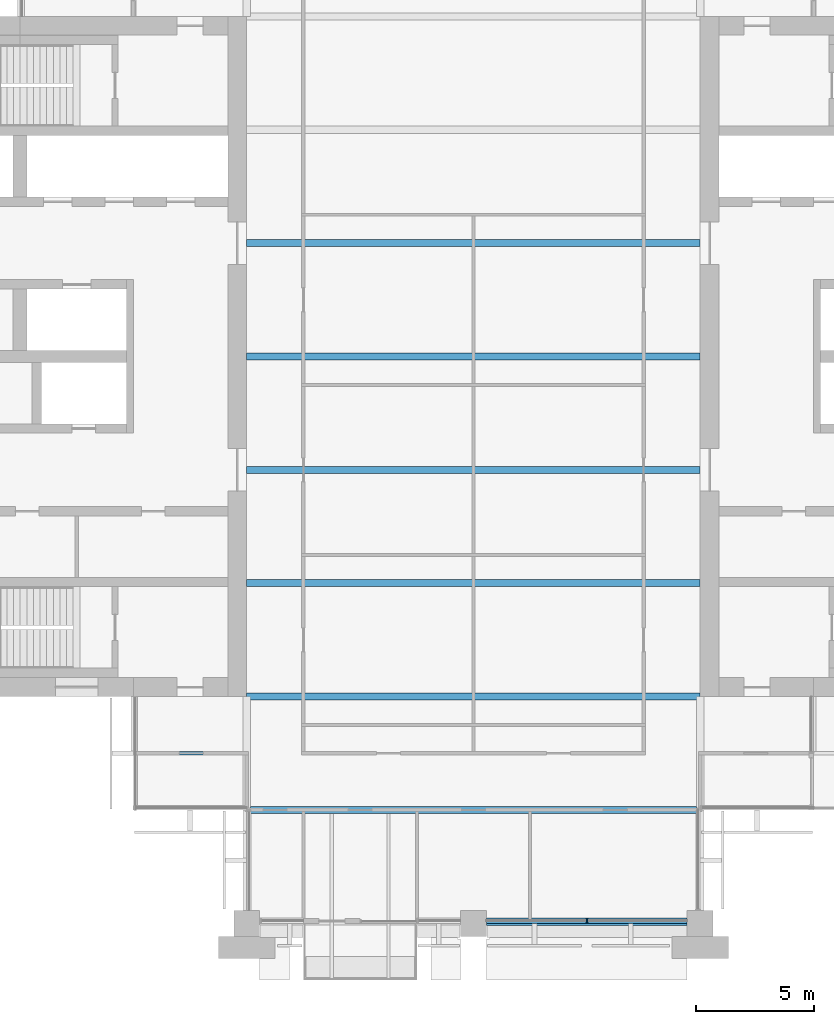
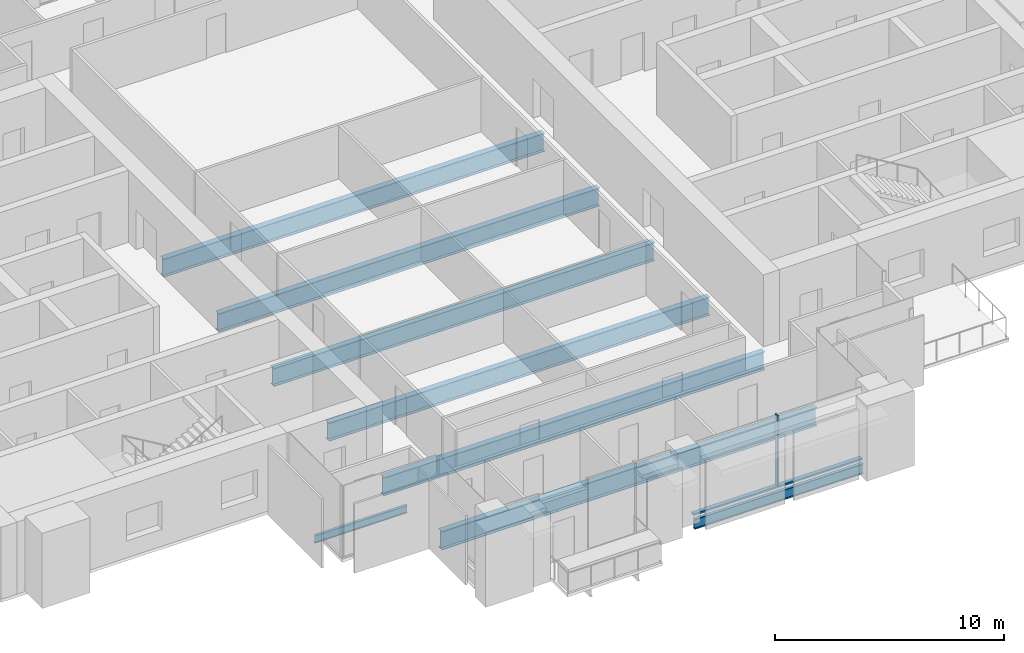
# One storey, part 3 of 14: 8 beams, 2 members, 1 element without a shape of its own.
"""IFC4 building model written with IfcOpenShell, lengths in metres."""

from ifc_helpers import new_model, si_unit, direction, frame, origin, origin_2d, place, context, subcontext, project, spatial, rectangle, i_section, extrude, material, material_profile, profile_set, type_object, element, aggregate, save


model = new_model("IFC4")

# Units and contexts
model_context = context("Model", 3, precision=1e-05, world=origin(), true_north=direction((0.0, 1.0)))
body_context = subcontext(model_context, "Body", "Model", "MODEL_VIEW")
ifc_project = project(units=[si_unit("LENGTHUNIT", "METRE"), si_unit("AREAUNIT", "SQUARE_METRE"), si_unit("VOLUMEUNIT", "CUBIC_METRE"), si_unit("PLANEANGLEUNIT", "RADIAN"), si_unit("MASSUNIT", "GRAM", prefix="KILO")], contexts=[model_context])

# Site, building, storey
site_placement = place(None, origin())
site = spatial("IfcSite", under=ifc_project, at=site_placement, CompositionType="ELEMENT")
building_placement = place(site_placement, origin())
building = spatial("IfcBuilding", under=site, at=building_placement, Name="Baori Bourse Tower", CompositionType="ELEMENT")
storey_placement = place(building_placement, frame((0.0, 0.0, 233.199951171875)))
storey = spatial("IfcBuildingStorey", under=building, at=storey_placement, Name="L51", CompositionType="ELEMENT", Elevation=233.199951171875)

# Curtain wall, members
ifc_material_1 = material(Name="Pale anodised aluminium", Category="aluminium")
curtain_wall_type = type_object("IfcCurtainWallType", Name="CW5 Curtain wall", PredefinedType="NOTDEFINED", material=ifc_material_1)
curtain_wall_placement = place(storey_placement, origin())
curtain_wall = element("IfcCurtainWall", 1, at=curtain_wall_placement, inside=storey, type_object=curtain_wall_type, Name="Curtain wall CW5 L51 15", PredefinedType="NOTDEFINED")
ifc_material_2 = material(Name="Pale anodised aluminium", Category="aluminium")
ifc_material_profile_1 = material_profile(ifc_material_2, rectangle(XDim=0.219970703125, YDim=0.06494140625, at=origin_2d()), Name="Mullion 65x220")
ifc_profile_set_1 = profile_set([ifc_material_profile_1], Name="Pale anodised aluminium")
member_type_1 = type_object("IfcMemberType", Name="CW5 Curtain wall mullion", PredefinedType="MULLION", material=ifc_profile_set_1)
member_1_placement = place(storey_placement, frame((33.60009765625, 0.110107421875, 0.0849609375), z_axis=(0.0, 0.0, 1.0), x_axis=(0.0, 1.0, 0.0)))
member_1 = element("IfcMember", 2, at=member_1_placement, type_object=member_type_1, Name="Curtain wall CW5 mullion", PredefinedType="MULLION", context=body_context, shape_type="SweptSolid", body=[
    extrude(rectangle(XDim=0.219970703125, YDim=0.06494140625, at=origin_2d()), origin(), (0.0, 0.0, 1.0), 3.755126953125),
])
ifc_material_3 = material(Name="Pale anodised aluminium", Category="aluminium")
ifc_material_profile_2 = material_profile(ifc_material_3, rectangle(XDim=0.219970703125, YDim=0.0849609375, at=origin_2d()), Name="Transom 85x220")
ifc_profile_set_2 = profile_set([ifc_material_profile_2], Name="Pale anodised aluminium")
member_type_2 = type_object("IfcMemberType", Name="CW5 Curtain wall transom", PredefinedType="USERDEFINED", material=ifc_profile_set_2)
member_2_placement = place(storey_placement, frame((29.35009765625, 0.110107421875, 0.04248046875), z_axis=(1.0, 0.0, 0.0), x_axis=(0.0, 1.0, 0.0)))
member_2 = element("IfcMember", 3, at=member_2_placement, type_object=member_type_2, Name="Curtain wall CW5 sill rail", ObjectType="TRANSOM", PredefinedType="USERDEFINED", context=body_context, shape_type="SweptSolid", body=[
    extrude(rectangle(XDim=0.219970703125, YDim=0.0849609375, at=origin_2d()), origin(), (0.0, 0.0, 1.0), 8.5),
])
aggregate(curtain_wall, [member_2, member_1])

# Beams
ifc_material_4 = material(Name="Steel A992 Gr 50", Category="steel")
ifc_material_profile_3 = material_profile(ifc_material_4, i_section(OverallWidth=0.1650390625, OverallDepth=0.52587890625, WebThickness=0.0087890625, FlangeThickness=0.011474609375, at=origin_2d()), Name="W21x44")
ifc_profile_set_3 = profile_set([ifc_material_profile_3], Name="Steel A992 Gr 50")
beam_type_1 = type_object("IfcBeamType", Name="Edge beam W21x44", PredefinedType="BEAM", material=ifc_profile_set_3)
beam_1_placement = place(storey_placement, frame((29.35009765625, 0.0, -0.4228515625), z_axis=(1.0, 0.0, 0.0), x_axis=(0.0, 1.0, 0.0)))
element("IfcBeam", 4, at=beam_1_placement, inside=storey, type_object=beam_type_1, Name="Edge beam L51", PredefinedType="BEAM", context=body_context, shape_type="SweptSolid", body=[
    extrude(i_section(OverallWidth=0.1650390625, OverallDepth=0.52587890625, WebThickness=0.0087890625, FlangeThickness=0.011474609375, at=origin_2d()), origin(), (0.0, 0.0, 1.0), 8.5),
])
ifc_material_5 = material(Name="Steel A992 Gr 50", Category="steel")
ifc_material_profile_4 = material_profile(ifc_material_5, i_section(OverallWidth=0.2998046875, OverallDepth=0.97021484375, WebThickness=0.01611328125, FlangeThickness=0.02099609375, at=origin_2d()), Name="W40x149")
ifc_profile_set_4 = profile_set([ifc_material_profile_4], Name="Steel A992 Gr 50")
beam_type_2 = type_object("IfcBeamType", Name="Floor beam W40x149", PredefinedType="BEAM", material=ifc_profile_set_4)
for number, where, z_axis, x_axis, name in (
    (5, (19.199951171875, 9.60009765625, -0.64501953125), (1.0, 0.0, 0.0), (0.0, 1.0, 0.0), "Floor beam L51"),
    (6, (19.199951171875, 14.39990234375, -0.64501953125), (1.0, 0.0, 0.0), (0.0, 1.0, 0.0), "Floor beam L51"),
    (7, (19.199951171875, 19.199951171875, -0.64501953125), (1.0, 0.0, 0.0), (0.0, 1.0, 0.0), "Floor beam L51"),
    (8, (19.199951171875, 24.0, -0.64501953125), (1.0, 0.0, 0.0), (0.0, 1.0, 0.0), "Floor beam L51"),
    (9, (19.199951171875, 28.800048828125, -0.64501953125), (1.0, 0.0, 0.0), (0.0, 1.0, 0.0), "Floor beam L51"),
):
    element("IfcBeam", number, at=place(storey_placement, frame(where, z_axis=z_axis, x_axis=x_axis)), inside=storey, type_object=beam_type_2, Name=name, PredefinedType="BEAM", context=body_context, shape_type="SweptSolid", body=[
        extrude(i_section(OverallWidth=0.2998046875, OverallDepth=0.97021484375, WebThickness=0.01611328125, FlangeThickness=0.02099609375, at=origin_2d()), origin(), (0.0, 0.0, 1.0), 19.199951171875),
    ])
ifc_material_6 = material(Name="Steel A992 Gr 50", Category="steel")
ifc_material_profile_5 = material_profile(ifc_material_6, i_section(OverallWidth=0.2998046875, OverallDepth=0.990478515625, WebThickness=0.0166015625, FlangeThickness=0.030517578125, at=origin_2d()), Name="W40x183")
ifc_profile_set_5 = profile_set([ifc_material_profile_5], Name="Steel A992 Gr 50")
beam_type_3 = type_object("IfcBeamType", Name="Floor beam W40x183", PredefinedType="BEAM", material=ifc_profile_set_5)
beam_2_placement = place(storey_placement, frame((19.352294921875, 4.800048828125, -0.6552734375), z_axis=(1.0, 0.0, 0.0), x_axis=(0.0, 1.0, 0.0)))
element("IfcBeam", 10, at=beam_2_placement, inside=storey, type_object=beam_type_3, Name="Floor beam L51", PredefinedType="BEAM", context=body_context, shape_type="SweptSolid", body=[
    extrude(i_section(OverallWidth=0.2998046875, OverallDepth=0.990478515625, WebThickness=0.0166015625, FlangeThickness=0.030517578125, at=origin_2d()), origin(), (0.0, 0.0, 1.0), 18.895263671875),
])
ifc_material_7 = material(Name="Steel A992 Gr 50", Category="steel")
ifc_material_profile_6 = material_profile(ifc_material_7, i_section(OverallWidth=0.140380859375, OverallDepth=0.40380859375, WebThickness=0.007080078125, FlangeThickness=0.01123046875, at=origin_2d()), Name="W16x31")
ifc_profile_set_6 = profile_set([ifc_material_profile_6], Name="Steel A992 Gr 50")
beam_type_4 = type_object("IfcBeamType", Name="Trimmer beam W16x31", PredefinedType="BEAM", material=ifc_profile_set_6)
beam_3_placement = place(storey_placement, frame((14.39990234375, 7.199951171875, -0.36181640625), z_axis=(1.0, 0.0, 0.0), x_axis=(0.0, 1.0, 0.0)))
element("IfcBeam", 11, at=beam_3_placement, inside=storey, type_object=beam_type_4, Name="Trimmer beam L51", PredefinedType="BEAM", context=body_context, shape_type="SweptSolid", body=[
    extrude(i_section(OverallWidth=0.140380859375, OverallDepth=0.40380859375, WebThickness=0.007080078125, FlangeThickness=0.01123046875, at=origin_2d()), origin(), (0.0, 0.0, 1.0), 4.647705078125),
])

save(model, "model.ifc")
